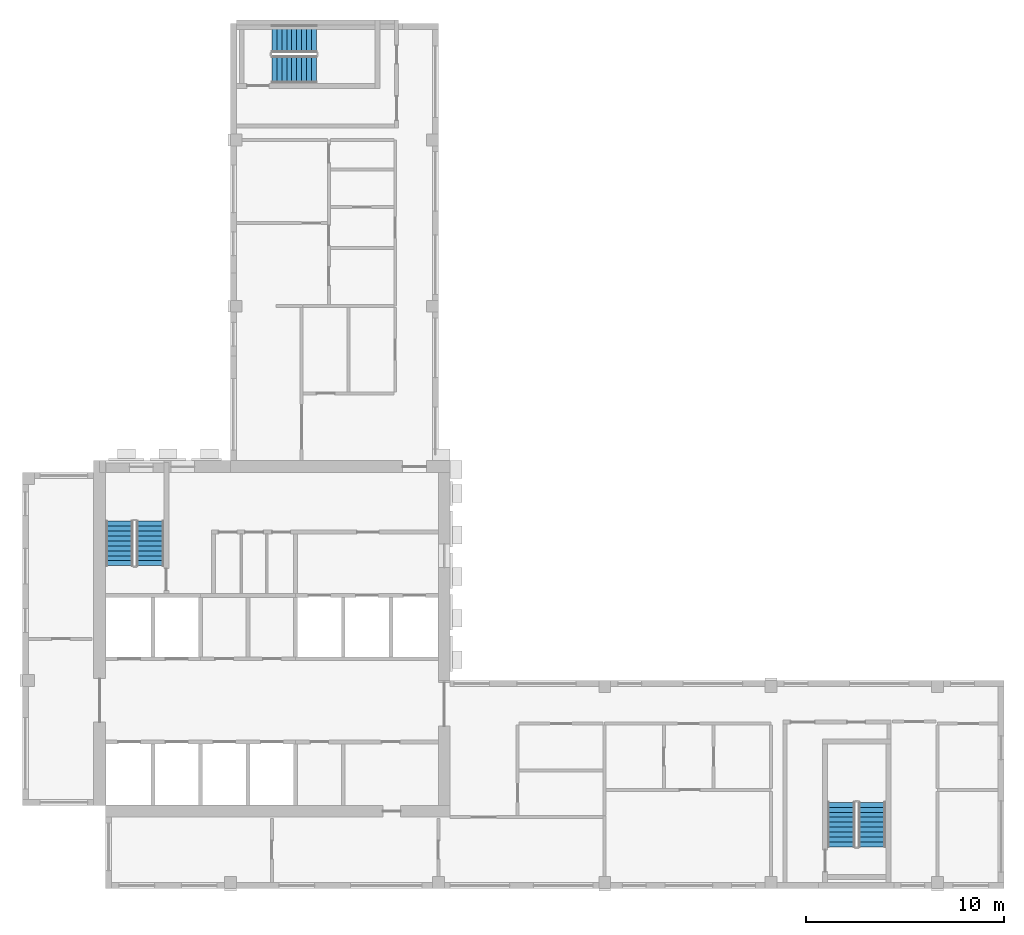
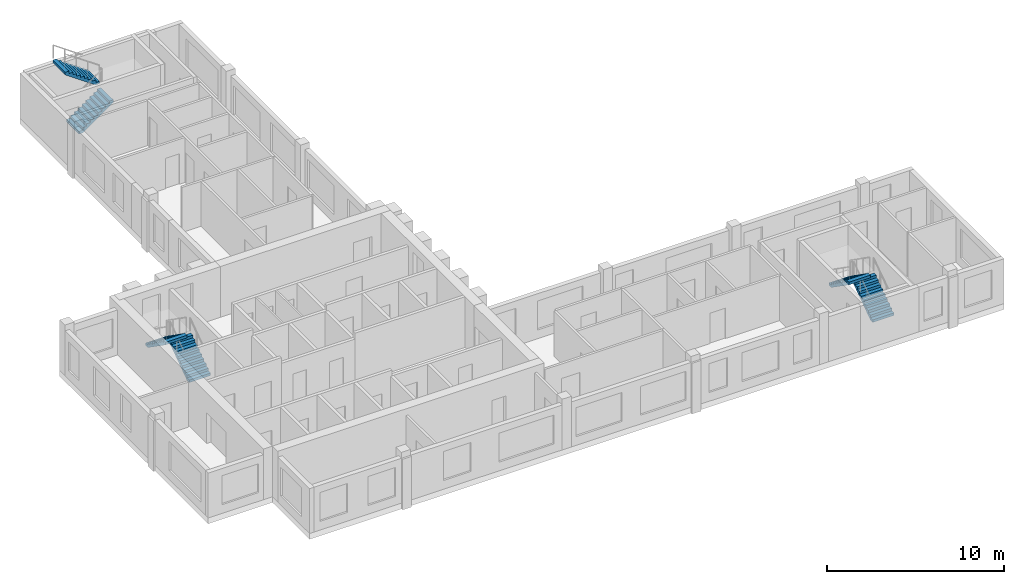
# One storey, part 6 of 10: 6 stair flights, 3 elements without a shape of their own.
"""IFC4 building model written with IfcOpenShell, lengths in metres."""

from ifc_helpers import new_model, si_unit, direction, frame, origin, place, context, subcontext, project, spatial, polyline, outline, extrude, source, transform, mapped, material, type_object, element, aggregate, save


model = new_model("IFC4")

# Units and contexts
model_context = context("Model", 3, precision=1e-05, world=origin(), true_north=direction((0.0, 1.0)))
body_context = subcontext(model_context, "Body", "Model", "MODEL_VIEW")
ifc_project = project(units=[si_unit("LENGTHUNIT", "METRE"), si_unit("AREAUNIT", "SQUARE_METRE"), si_unit("VOLUMEUNIT", "CUBIC_METRE"), si_unit("PLANEANGLEUNIT", "RADIAN"), si_unit("MASSUNIT", "GRAM", prefix="KILO")], contexts=[model_context])

# Site, building, storey
site_placement = place(None, origin())
site = spatial("IfcSite", under=ifc_project, at=site_placement, CompositionType="ELEMENT")
building_placement = place(site_placement, origin())
building = spatial("IfcBuilding", under=site, at=building_placement, Name="Aurelian Terraces", CompositionType="ELEMENT")
storey_placement = place(building_placement, frame((0.0, 0.0, 358.0)))
storey = spatial("IfcBuildingStorey", under=building, at=storey_placement, Name="L85", CompositionType="ELEMENT", Elevation=358.0)

# Stair, stair flights
ifc_material = material(Name="Concrete fc' 40 MPa", Category="concrete")
stair_type = type_object("IfcStairType", Name="Stair 1400", PredefinedType="HALF_TURN_STAIR", material=ifc_material)
stair_1_placement = place(storey_placement, origin())
stair_1 = element("IfcStair", 1, at=stair_1_placement, inside=storey, type_object=stair_type, Name="L85 S1", PredefinedType="HALF_TURN_STAIR")
stair_flight_type = type_object("IfcStairFlightType", Name="Stair flight 1400", PredefinedType="STRAIGHT", material=ifc_material)
shared_shape = source(origin(), body_context, "Body", "SweptSolid", [
    extrude(outline(polyline([(0.0, 0.0), (0.0, 0.175), (0.25, 0.175), (0.25, 0.35), (0.5, 0.35), (0.5, 0.525), (0.75, 0.525), (0.75, 0.7), (1.0, 0.7), (1.0, 0.875), (1.25, 0.875), (1.25, 1.05), (1.5, 1.05), (1.5, 1.225), (1.75, 1.225), (1.75, 1.4), (2.0, 1.4), (2.0, 1.575), (2.25, 1.575), (2.25, 1.75), (2.25, 1.3919), (0.2616, 0.0), (0.0, 0.0)])), frame((0.0, 0.7, 0.0), z_axis=(0.0, -1.0, 0.0), x_axis=(1.0, 0.0, 0.0)), (0.0, 0.0, 1.0), 1.4),
])
stair_flight_1_placement = place(storey_placement, frame((6.45, 16.3, 2e-08), z_axis=(0.0, 0.0, 1.0), x_axis=(0.0, 1.0, 0.0)))
stair_flight_1 = element("IfcStairFlight", 2, at=stair_flight_1_placement, type_object=stair_flight_type, Name="S1 flight 1", NumberOfRisers=10, NumberOfTreads=9, PredefinedType="STRAIGHT", RiserHeight=0.175, TreadLength=0.25, context=body_context, shape_type="MappedRepresentation", body=[
    mapped(shared_shape, transform((0.0, 0.0, 0.0), scale=1.0)),
])
stair_flight_2_placement = place(storey_placement, frame((4.9, 18.55, 1.75000002), z_axis=(0.0, 0.0, 1.0), x_axis=(0.0, -1.0, 0.0)))
stair_flight_2 = element("IfcStairFlight", 3, at=stair_flight_2_placement, type_object=stair_flight_type, Name="S1 flight 2", NumberOfRisers=10, NumberOfTreads=9, PredefinedType="STRAIGHT", RiserHeight=0.175, TreadLength=0.25, context=body_context, shape_type="MappedRepresentation", body=[
    mapped(shared_shape, transform((0.0, 0.0, 0.0), scale=1.0)),
])
aggregate(stair_1, [stair_flight_1, stair_flight_2])

stair_2_placement = place(storey_placement, origin())
stair_2 = element("IfcStair", 4, at=stair_2_placement, inside=storey, type_object=stair_type, Name="L85 S2", PredefinedType="HALF_TURN_STAIR")
stair_flight_3_placement = place(storey_placement, frame((42.9, 2.1, 2e-08), z_axis=(0.0, 0.0, 1.0), x_axis=(0.0, 1.0, 0.0)))
stair_flight_3 = element("IfcStairFlight", 5, at=stair_flight_3_placement, type_object=stair_flight_type, Name="S2 flight 1", NumberOfRisers=10, NumberOfTreads=9, PredefinedType="STRAIGHT", RiserHeight=0.175, TreadLength=0.25, context=body_context, shape_type="MappedRepresentation", body=[
    mapped(shared_shape, transform((0.0, 0.0, 0.0), scale=1.0)),
])
stair_flight_4_placement = place(storey_placement, frame((41.35, 4.35, 1.75000002), z_axis=(0.0, 0.0, 1.0), x_axis=(0.0, -1.0, 0.0)))
stair_flight_4 = element("IfcStairFlight", 6, at=stair_flight_4_placement, type_object=stair_flight_type, Name="S2 flight 2", NumberOfRisers=10, NumberOfTreads=9, PredefinedType="STRAIGHT", RiserHeight=0.175, TreadLength=0.25, context=body_context, shape_type="MappedRepresentation", body=[
    mapped(shared_shape, transform((0.0, 0.0, 0.0), scale=1.0)),
])
aggregate(stair_2, [stair_flight_3, stair_flight_4])

stair_3_placement = place(storey_placement, origin())
stair_3 = element("IfcStair", 7, at=stair_3_placement, inside=storey, type_object=stair_type, Name="L85 S3U", PredefinedType="HALF_TURN_STAIR")
stair_flight_5_placement = place(storey_placement, frame((12.6, 41.35, 2e-08), z_axis=(0.0, 0.0, 1.0), x_axis=(1.0, 0.0, 0.0)))
stair_flight_5 = element("IfcStairFlight", 8, at=stair_flight_5_placement, type_object=stair_flight_type, Name="S3U flight 1", NumberOfRisers=10, NumberOfTreads=9, PredefinedType="STRAIGHT", RiserHeight=0.175, TreadLength=0.25, context=body_context, shape_type="MappedRepresentation", body=[
    mapped(shared_shape, transform((0.0, 0.0, 0.0), scale=1.0)),
])
stair_flight_6_placement = place(storey_placement, frame((14.85, 42.9, 1.75000002), z_axis=(0.0, 0.0, 1.0), x_axis=(-1.0, 0.0, 0.0)))
stair_flight_6 = element("IfcStairFlight", 9, at=stair_flight_6_placement, type_object=stair_flight_type, Name="S3U flight 2", NumberOfRisers=10, NumberOfTreads=9, PredefinedType="STRAIGHT", RiserHeight=0.175, TreadLength=0.25, context=body_context, shape_type="MappedRepresentation", body=[
    mapped(shared_shape, transform((0.0, 0.0, 0.0), scale=1.0)),
])
aggregate(stair_3, [stair_flight_5, stair_flight_6])

save(model, "model.ifc")
